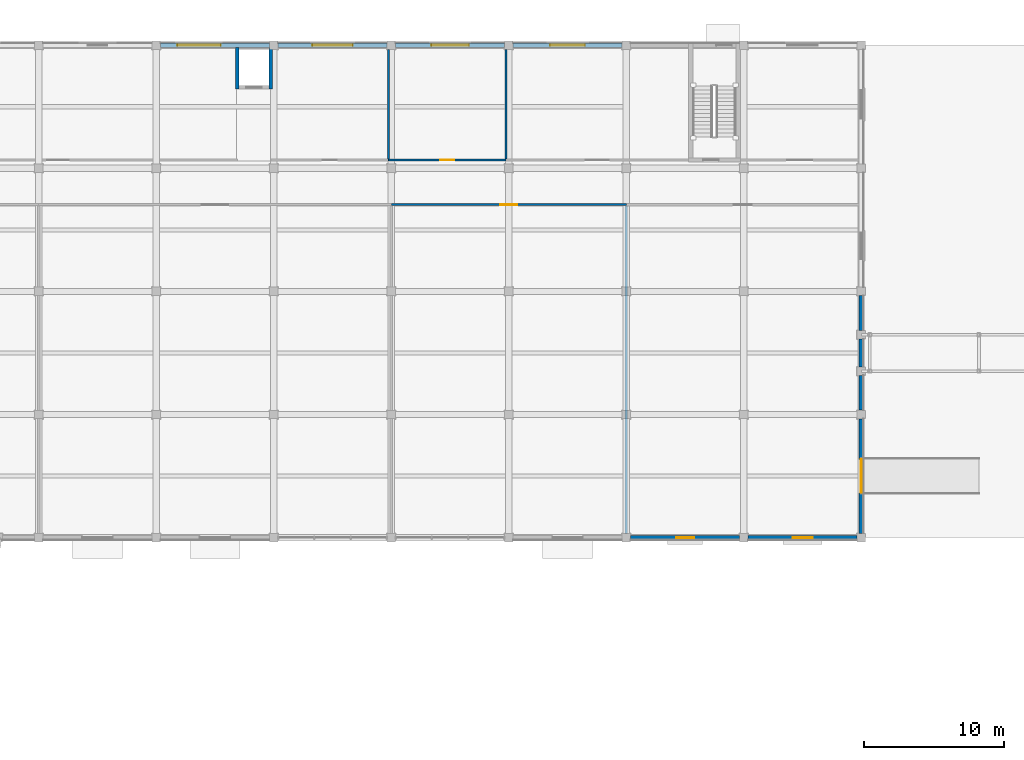
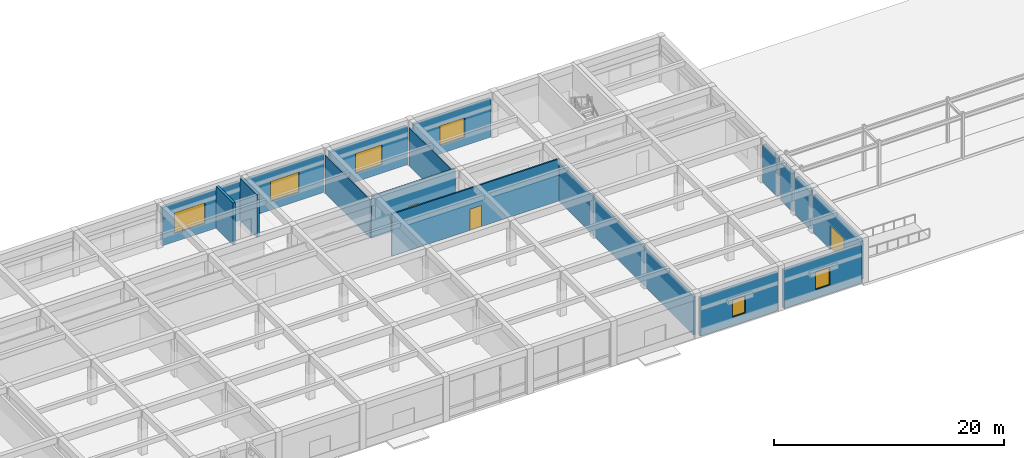
# One storey, part 36 of 58: 17 walls, 6 windows, 3 doors, 9 openings.
"""IFC4 building model written with IfcOpenShell, lengths in metres."""

from ifc_helpers import new_model, si_unit, direction, frame, frame_2d, origin, place, context, subcontext, project, spatial, rectangle, extrude, material, layer, layer_set, type_object, element, fill, save


model = new_model("IFC4")

# Units and contexts
model_context = context("Model", 3, precision=1e-05, world=origin(), true_north=direction((0.0, 1.0)))
body_context = subcontext(model_context, "Body", "Model", "MODEL_VIEW")
ifc_project = project(units=[si_unit("LENGTHUNIT", "METRE"), si_unit("AREAUNIT", "SQUARE_METRE"), si_unit("VOLUMEUNIT", "CUBIC_METRE"), si_unit("PLANEANGLEUNIT", "RADIAN"), si_unit("MASSUNIT", "GRAM", prefix="KILO")], contexts=[model_context])

# Site, building, storey
site_placement = place(None, origin())
site = spatial("IfcSite", under=ifc_project, at=site_placement, CompositionType="ELEMENT")
building_placement = place(site_placement, origin())
building = spatial("IfcBuilding", under=site, at=building_placement, Name="Kemercrest Conservatory and Botanical Centre", CompositionType="ELEMENT")
storey_placement = place(building_placement, origin())
storey = spatial("IfcBuildingStorey", under=building, at=storey_placement, Name="L00", CompositionType="ELEMENT", Elevation=0.0)

# Wall, opening, window
ifc_material_1 = material(Name="Precast concrete C40/50", Category="concrete")
ifc_layer_1 = layer(ifc_material_1, 0.300048828125)
ifc_layer_set_1 = layer_set([ifc_layer_1], Name="Precast concrete C40/50")
wall_type_1 = type_object("IfcWallType", Name="W-EXT300", PredefinedType="SOLIDWALL", material=ifc_layer_set_1)
wall_1_placement = place(storey_placement, frame((75.510009765625, 87.199951171875, 0.0), z_axis=(0.0, 0.0, 1.0), x_axis=(1.0, 0.0, 0.0)))
wall_1 = element("IfcWall", 1, at=wall_1_placement, inside=storey, type_object=wall_type_1, Name="Exterior almasik wall W-EXT300 (WAL:L00:EXT-076)", PredefinedType="SOLIDWALL", context=body_context, shape_type="SweptSolid", body=[
    extrude(rectangle(XDim=7.780029296875, YDim=0.300048828125, at=frame_2d((3.89013671875, 0.0))), origin(), (0.0, 0.0, 1.0), 4.050048828125),
])
opening_1_placement = place(wall_1_placement, frame((3.25, 0.0, 0.89990234375)))
opening_1 = element("IfcOpeningElement", 2, at=opening_1_placement, cuts=wall_1, Name="Opening WT-29", PredefinedType="OPENING", context=body_context, shape_type="SweptSolid", body=[
    extrude(rectangle(XDim=1.280029296875, YDim=1.820068359375, at=frame_2d((0.64013671875, 0.91015625))), frame((0.0, 0.16015625, 0.0), z_axis=(0.0, -1.0, 0.0), x_axis=(1.0, 0.0, 0.0)), (0.0, 0.0, 1.0), 0.320068359375),
])
ifc_material_2 = material(Name="Thermally broken bronze-anodized aluminium and triple glazing", Category="aluminium")
window_type_1 = type_object("IfcWindowType", Name="WT-29", PartitioningType="SINGLE_PANEL", PredefinedType="WINDOW", material=ifc_material_2)
window_1_placement = place(opening_1_placement, origin())
window_1 = element("IfcWindow", 3, at=window_1_placement, inside=storey, type_object=window_type_1, Name="Exterior window WT-29 (WIN:L00:EXT-076)", OverallHeight=1.820068359375, OverallWidth=1.280029296875, PartitioningType="SINGLE_PANEL", PredefinedType="WINDOW", context=body_context, shape_type="SweptSolid", body=[
    extrude(rectangle(XDim=1.280029296875, YDim=1.820068359375, at=frame_2d((0.64013671875, 0.91015625))), frame((0.0, 0.030029296875, 0.0), z_axis=(0.0, -1.0, 0.0), x_axis=(1.0, 0.0, 0.0)), (0.0, 0.0, 1.0), 0.06005859375),
])
fill(opening_1, window_1)

wall_2_placement = place(storey_placement, frame((83.909912109375, 87.199951171875, 0.0), z_axis=(0.0, 0.0, 1.0), x_axis=(1.0, 0.0, 0.0)))
wall_2 = element("IfcWall", 4, at=wall_2_placement, inside=storey, type_object=wall_type_1, Name="Exterior almasik wall W-EXT300 (WAL:L00:EXT-077)", PredefinedType="SOLIDWALL", context=body_context, shape_type="SweptSolid", body=[
    extrude(rectangle(XDim=7.780029296875, YDim=0.300048828125, at=frame_2d((3.89013671875, 0.0))), origin(), (0.0, 0.0, 1.0), 4.050048828125),
])
opening_2_placement = place(wall_2_placement, frame((3.179931640625, 0.0, 0.89990234375)))
opening_2 = element("IfcOpeningElement", 5, at=opening_2_placement, cuts=wall_2, Name="Opening WT-30", PredefinedType="OPENING", context=body_context, shape_type="SweptSolid", body=[
    extrude(rectangle(XDim=1.419921875, YDim=1.860107421875, at=frame_2d((0.7099609375, 0.93017578125))), frame((0.0, 0.16015625, 0.0), z_axis=(0.0, -1.0, 0.0), x_axis=(1.0, 0.0, 0.0)), (0.0, 0.0, 1.0), 0.320068359375),
])
window_type_2 = type_object("IfcWindowType", Name="WT-30", PartitioningType="SINGLE_PANEL", PredefinedType="WINDOW", material=ifc_material_2)
window_2_placement = place(opening_2_placement, origin())
window_2 = element("IfcWindow", 6, at=window_2_placement, inside=storey, type_object=window_type_2, Name="Exterior window WT-30 (WIN:L00:EXT-077)", OverallHeight=1.860107421875, OverallWidth=1.419921875, PartitioningType="SINGLE_PANEL", PredefinedType="WINDOW", context=body_context, shape_type="SweptSolid", body=[
    extrude(rectangle(XDim=1.419921875, YDim=1.860107421875, at=frame_2d((0.7099609375, 0.93017578125))), frame((0.0, 0.030029296875, 0.0), z_axis=(0.0, -1.0, 0.0), x_axis=(1.0, 0.0, 0.0)), (0.0, 0.0, 1.0), 0.06005859375),
])
fill(opening_2, window_2)

# Wall, opening, door
wall_3_placement = place(storey_placement, frame((92.0, 87.510009765625, 0.0), z_axis=(0.0, 0.0, 1.0), x_axis=(0.0, 1.0, 0.0)))
wall_3 = element("IfcWall", 7, at=wall_3_placement, inside=storey, type_object=wall_type_1, Name="Exterior almasik wall W-EXT300 (WAL:L00:EXT-078)", PredefinedType="SOLIDWALL", context=body_context, shape_type="SweptSolid", body=[
    extrude(rectangle(XDim=8.179931640625, YDim=0.300048828125, at=frame_2d((4.08984375, 0.0))), origin(), (0.0, 0.0, 1.0), 4.050048828125),
])
opening_3_placement = place(wall_3_placement, frame((2.889892578125, 0.0, 0.0)))
opening_3 = element("IfcOpeningElement", 8, at=opening_3_placement, cuts=wall_3, Name="Opening ED025", PredefinedType="OPENING", context=body_context, shape_type="SweptSolid", body=[
    extrude(rectangle(XDim=2.39990234375, YDim=2.60009765625, at=frame_2d((1.199951171875, 1.300048828125))), frame((0.0, 0.16015625, 0.0), z_axis=(0.0, -1.0, 0.0), x_axis=(1.0, 0.0, 0.0)), (0.0, 0.0, 1.0), 0.320068359375),
])
ifc_material_3 = material(Name="Thermally broken bronze-anodized aluminium and laminated safety glass", Category="aluminium")
door_type_1 = type_object("IfcDoorType", Name="DT-E07", OperationType="DOUBLE_DOOR_SLIDING", PredefinedType="DOOR", material=ifc_material_3)
door_1_placement = place(opening_3_placement, frame((2.39990234375, 0.0, 0.0), z_axis=(0.0, 0.0, 1.0), x_axis=(-1.0, 0.0, 0.0)))
door_1 = element("IfcDoor", 9, at=door_1_placement, inside=storey, type_object=door_type_1, Name="Specimen Receiving Automatic Sliding Entrance", OperationType="DOUBLE_DOOR_SLIDING", OverallHeight=2.60009765625, OverallWidth=2.39990234375, PredefinedType="DOOR", context=body_context, shape_type="SweptSolid", body=[
    extrude(rectangle(XDim=2.39990234375, YDim=2.60009765625, at=frame_2d((1.199951171875, 1.300048828125))), frame((0.0, 0.02490234375, 0.0), z_axis=(0.0, -1.0, 0.0), x_axis=(1.0, 0.0, 0.0)), (0.0, 0.0, 1.0), 0.050048828125),
])
fill(opening_3, door_1)

# Walls
wall_4_placement = place(storey_placement, frame((92.0, 96.31005859375, 0.0), z_axis=(0.0, 0.0, 1.0), x_axis=(0.0, 1.0, 0.0)))
element("IfcWall", 10, at=wall_4_placement, inside=storey, type_object=wall_type_1, Name="Exterior almasik wall W-EXT300 (WAL:L00:EXT-079-S1)", PredefinedType="SOLIDWALL", context=body_context, shape_type="SweptSolid", body=[
    extrude(rectangle(XDim=2.47998046875, YDim=0.300048828125, at=frame_2d((1.239990234375, 0.0))), origin(), (0.0, 0.0, 1.0), 4.050048828125),
])
wall_5_placement = place(storey_placement, frame((92.0, 99.409912109375, 0.0), z_axis=(0.0, 0.0, 1.0), x_axis=(0.0, 1.0, 0.0)))
element("IfcWall", 11, at=wall_5_placement, inside=storey, type_object=wall_type_1, Name="Exterior almasik wall W-EXT300 (WAL:L00:EXT-079-S2)", PredefinedType="SOLIDWALL", context=body_context, shape_type="SweptSolid", body=[
    extrude(rectangle(XDim=1.97998046875, YDim=0.300048828125, at=frame_2d((0.989990234375, 0.0))), origin(), (0.0, 0.0, 1.0), 4.050048828125),
])
wall_6_placement = place(storey_placement, frame((92.0, 102.010009765625, 0.0), z_axis=(0.0, 0.0, 1.0), x_axis=(0.0, 1.0, 0.0)))
element("IfcWall", 12, at=wall_6_placement, inside=storey, type_object=wall_type_1, Name="Exterior almasik wall W-EXT300 (WAL:L00:EXT-079-S3)", PredefinedType="SOLIDWALL", context=body_context, shape_type="SweptSolid", body=[
    extrude(rectangle(XDim=2.47998046875, YDim=0.300048828125, at=frame_2d((1.239990234375, 0.0))), origin(), (0.0, 0.0, 1.0), 4.050048828125),
])

# Wall, opening, window
wall_7_placement = place(storey_placement, frame((74.889892578125, 122.39990234375, 0.0), z_axis=(0.0, 0.0, 1.0), x_axis=(-1.0, 0.0, 0.0)))
wall_7 = element("IfcWall", 13, at=wall_7_placement, inside=storey, type_object=wall_type_1, Name="Exterior almasik wall W-EXT300 (WAL:L00:EXT-084)", PredefinedType="SOLIDWALL", context=body_context, shape_type="SweptSolid", body=[
    extrude(rectangle(XDim=7.77978515625, YDim=0.300048828125, at=frame_2d((3.889892578125, 0.0))), origin(), (0.0, 0.0, 1.0), 4.050048828125),
])
opening_4_placement = place(wall_7_placement, frame((2.64990234375, 0.0, 0.89990234375)))
opening_4 = element("IfcOpeningElement", 14, at=opening_4_placement, cuts=wall_7, Name="Opening WT-37", PredefinedType="OPENING", context=body_context, shape_type="SweptSolid", body=[
    extrude(rectangle(XDim=2.47998046875, YDim=2.080078125, at=frame_2d((1.239990234375, 1.0400390625))), frame((0.0, 0.16015625, 0.0), z_axis=(0.0, -1.0, 0.0), x_axis=(1.0, 0.0, 0.0)), (0.0, 0.0, 1.0), 0.320068359375),
])
window_type_3 = type_object("IfcWindowType", Name="WT-37", PartitioningType="SINGLE_PANEL", PredefinedType="WINDOW", material=ifc_material_2)
window_3_placement = place(opening_4_placement, origin())
window_3 = element("IfcWindow", 15, at=window_3_placement, inside=storey, type_object=window_type_3, Name="Exterior window WT-37 (WIN:L00:EXT-084)", OverallHeight=2.080078125, OverallWidth=2.47998046875, PartitioningType="SINGLE_PANEL", PredefinedType="WINDOW", context=body_context, shape_type="SweptSolid", body=[
    extrude(rectangle(XDim=2.47998046875, YDim=2.080078125, at=frame_2d((1.239990234375, 1.0400390625))), frame((0.0, 0.030029296875, 0.0), z_axis=(0.0, -1.0, 0.0), x_axis=(1.0, 0.0, 0.0)), (0.0, 0.0, 1.0), 0.06005859375),
])
fill(opening_4, window_3)

wall_8_placement = place(storey_placement, frame((66.489990234375, 122.39990234375, 0.0), z_axis=(0.0, 0.0, 1.0), x_axis=(-1.0, 0.0, 0.0)))
wall_8 = element("IfcWall", 16, at=wall_8_placement, inside=storey, type_object=wall_type_1, Name="Exterior almasik wall W-EXT300 (WAL:L00:EXT-085)", PredefinedType="SOLIDWALL", context=body_context, shape_type="SweptSolid", body=[
    extrude(rectangle(XDim=7.780029296875, YDim=0.300048828125, at=frame_2d((3.89013671875, 0.0))), origin(), (0.0, 0.0, 1.0), 4.050048828125),
])
opening_5_placement = place(wall_8_placement, frame((2.550048828125, 0.0, 0.89990234375)))
opening_5 = element("IfcOpeningElement", 17, at=opening_5_placement, cuts=wall_8, Name="Opening WT-38", PredefinedType="OPENING", context=body_context, shape_type="SweptSolid", body=[
    extrude(rectangle(XDim=2.679931640625, YDim=2.1201171875, at=frame_2d((1.33984375, 1.06005859375))), frame((0.0, 0.16015625, 0.0), z_axis=(0.0, -1.0, 0.0), x_axis=(1.0, 0.0, 0.0)), (0.0, 0.0, 1.0), 0.320068359375),
])
window_type_4 = type_object("IfcWindowType", Name="WT-38", PartitioningType="SINGLE_PANEL", PredefinedType="WINDOW", material=ifc_material_2)
window_4_placement = place(opening_5_placement, origin())
window_4 = element("IfcWindow", 18, at=window_4_placement, inside=storey, type_object=window_type_4, Name="Exterior window WT-38 (WIN:L00:EXT-085)", OverallHeight=2.1201171875, OverallWidth=2.679931640625, PartitioningType="SINGLE_PANEL", PredefinedType="WINDOW", context=body_context, shape_type="SweptSolid", body=[
    extrude(rectangle(XDim=2.679931640625, YDim=2.1201171875, at=frame_2d((1.33984375, 1.06005859375))), frame((0.0, 0.030029296875, 0.0), z_axis=(0.0, -1.0, 0.0), x_axis=(1.0, 0.0, 0.0)), (0.0, 0.0, 1.0), 0.06005859375),
])
fill(opening_5, window_4)

wall_9_placement = place(storey_placement, frame((58.090087890625, 122.39990234375, 0.0), z_axis=(0.0, 0.0, 1.0), x_axis=(-1.0, 0.0, 0.0)))
wall_9 = element("IfcWall", 19, at=wall_9_placement, inside=storey, type_object=wall_type_1, Name="Exterior almasik wall W-EXT300 (WAL:L00:EXT-086)", PredefinedType="SOLIDWALL", context=body_context, shape_type="SweptSolid", body=[
    extrude(rectangle(XDim=7.780029296875, YDim=0.300048828125, at=frame_2d((3.89013671875, 0.0))), origin(), (0.0, 0.0, 1.0), 4.050048828125),
])
opening_6_placement = place(wall_9_placement, frame((2.449951171875, 0.0, 0.89990234375)))
opening_6 = element("IfcOpeningElement", 20, at=opening_6_placement, cuts=wall_9, Name="Opening WT-39", PredefinedType="OPENING", context=body_context, shape_type="SweptSolid", body=[
    extrude(rectangle(XDim=2.8798828125, YDim=2.139892578125, at=frame_2d((1.43994140625, 1.06982421875))), frame((0.0, 0.16015625, 0.0), z_axis=(0.0, -1.0, 0.0), x_axis=(1.0, 0.0, 0.0)), (0.0, 0.0, 1.0), 0.320068359375),
])
window_type_5 = type_object("IfcWindowType", Name="WT-39", PartitioningType="SINGLE_PANEL", PredefinedType="WINDOW", material=ifc_material_2)
window_5_placement = place(opening_6_placement, origin())
window_5 = element("IfcWindow", 21, at=window_5_placement, inside=storey, type_object=window_type_5, Name="Exterior window WT-39 (WIN:L00:EXT-086)", OverallHeight=2.139892578125, OverallWidth=2.8798828125, PartitioningType="SINGLE_PANEL", PredefinedType="WINDOW", context=body_context, shape_type="SweptSolid", body=[
    extrude(rectangle(XDim=2.8798828125, YDim=2.139892578125, at=frame_2d((1.43994140625, 1.06982421875))), frame((0.0, 0.030029296875, 0.0), z_axis=(0.0, -1.0, 0.0), x_axis=(1.0, 0.0, 0.0)), (0.0, 0.0, 1.0), 0.06005859375),
])
fill(opening_6, window_5)

wall_10_placement = place(storey_placement, frame((49.68994140625, 122.39990234375, 0.0), z_axis=(0.0, 0.0, 1.0), x_axis=(-1.0, 0.0, 0.0)))
wall_10 = element("IfcWall", 22, at=wall_10_placement, inside=storey, type_object=wall_type_1, Name="Exterior almasik wall W-EXT300 (WAL:L00:EXT-087)", PredefinedType="SOLIDWALL", context=body_context, shape_type="SweptSolid", body=[
    extrude(rectangle(XDim=7.780029296875, YDim=0.300048828125, at=frame_2d((3.89013671875, 0.0))), origin(), (0.0, 0.0, 1.0), 4.050048828125),
])
opening_7_placement = place(wall_10_placement, frame((3.4951171875, 0.0, 0.89990234375)))
opening_7 = element("IfcOpeningElement", 23, at=opening_7_placement, cuts=wall_10, Name="Opening WT-40", PredefinedType="OPENING", context=body_context, shape_type="SweptSolid", body=[
    extrude(rectangle(XDim=3.080078125, YDim=2.179931640625, at=frame_2d((1.5400390625, 1.08984375))), frame((0.0, 0.16015625, 0.0), z_axis=(0.0, -1.0, 0.0), x_axis=(1.0, 0.0, 0.0)), (0.0, 0.0, 1.0), 0.320068359375),
])
window_type_6 = type_object("IfcWindowType", Name="WT-40", PartitioningType="SINGLE_PANEL", PredefinedType="WINDOW", material=ifc_material_2)
window_6_placement = place(opening_7_placement, origin())
window_6 = element("IfcWindow", 24, at=window_6_placement, inside=storey, type_object=window_type_6, Name="Exterior window WT-40 (WIN:L00:EXT-087)", OverallHeight=2.179931640625, OverallWidth=3.080078125, PartitioningType="SINGLE_PANEL", PredefinedType="WINDOW", context=body_context, shape_type="SweptSolid", body=[
    extrude(rectangle(XDim=3.080078125, YDim=2.179931640625, at=frame_2d((1.5400390625, 1.08984375))), frame((0.0, 0.030029296875, 0.0), z_axis=(0.0, -1.0, 0.0), x_axis=(1.0, 0.0, 0.0)), (0.0, 0.0, 1.0), 0.06005859375),
])
fill(opening_7, window_6)

# Wall, opening, door
ifc_material_4 = material(Name="Moisture-resistant gypsum board partition", Category="gypsum")
ifc_layer_2 = layer(ifc_material_4, 0.125)
ifc_layer_set_2 = layer_set([ifc_layer_2], Name="Moisture-resistant gypsum board partition")
wall_type_2 = type_object("IfcWallType", Name="W-PART125", PredefinedType="PARTITIONING", material=ifc_layer_set_2)
wall_11_placement = place(storey_placement, frame((58.199951171875, 114.199951171875, 0.0), z_axis=(0.0, 0.0, 1.0), x_axis=(1.0, 0.0, 0.0)))
wall_11 = element("IfcWall", 25, at=wall_11_placement, inside=storey, type_object=wall_type_2, Name="Interior partition W-PART125 #33", PredefinedType="PARTITIONING", context=body_context, shape_type="SweptSolid", body=[
    extrude(rectangle(XDim=8.400146484375, YDim=0.125, at=frame_2d((4.2001953125, 0.0))), origin(), (0.0, 0.0, 1.0), 4.465087890625),
])
opening_8_placement = place(wall_11_placement, frame((3.7099609375, 0.0, 0.0)))
opening_8 = element("IfcOpeningElement", 26, at=opening_8_placement, cuts=wall_11, Name="Opening D128", PredefinedType="OPENING", context=body_context, shape_type="SweptSolid", body=[
    extrude(rectangle(XDim=0.97998046875, YDim=2.10009765625, at=frame_2d((0.489990234375, 1.050048828125))), frame((0.0, 0.072509765625, 0.0), z_axis=(0.0, -1.0, 0.0), x_axis=(1.0, 0.0, 0.0)), (0.0, 0.0, 1.0), 0.14501953125),
])
ifc_material_5 = material(Name="FSC solid-core white oak veneer and anodized aluminium frame", Category="aluminium")
door_type_2 = type_object("IfcDoorType", Name="DT-02", OperationType="NOTDEFINED", PredefinedType="DOOR", material=ifc_material_5)
door_2_placement = place(opening_8_placement, origin())
door_2 = element("IfcDoor", 27, at=door_2_placement, inside=storey, type_object=door_type_2, Name="Universal Accessible Washroom door D128", OperationType="SINGLE_SWING_RIGHT", OverallHeight=2.10009765625, OverallWidth=0.97998046875, PredefinedType="DOOR", context=body_context, shape_type="SweptSolid", body=[
    extrude(rectangle(XDim=0.97998046875, YDim=2.10009765625, at=frame_2d((0.489990234375, 1.050048828125))), frame((0.0, 0.02490234375, 0.0), z_axis=(0.0, -1.0, 0.0), x_axis=(1.0, 0.0, 0.0)), (0.0, 0.0, 1.0), 0.050048828125),
])
fill(opening_8, door_2)

# Walls
wall_12_placement = place(storey_placement, frame((58.199951171875, 114.267578125, 0.0), z_axis=(0.0, 0.0, 1.0), x_axis=(0.0, 1.0, 0.0)))
element("IfcWall", 28, at=wall_12_placement, inside=storey, type_object=wall_type_2, Name="Interior partition W-PART125 #56", PredefinedType="PARTITIONING", context=body_context, shape_type="SweptSolid", body=[
    extrude(rectangle(XDim=7.83251953125, YDim=0.125, at=frame_2d((3.916259765625, 0.0))), origin(), (0.0, 0.0, 1.0), 4.044921875),
])
wall_13_placement = place(storey_placement, frame((66.60009765625, 114.280029296875, 0.0), z_axis=(0.0, 0.0, 1.0), x_axis=(0.0, 1.0, 0.0)))
element("IfcWall", 29, at=wall_13_placement, inside=storey, type_object=wall_type_2, Name="Interior partition W-PART125 #57", PredefinedType="PARTITIONING", context=body_context, shape_type="SweptSolid", body=[
    extrude(rectangle(XDim=7.820068359375, YDim=0.125, at=frame_2d((3.91015625, 0.0))), origin(), (0.0, 0.0, 1.0), 4.044921875),
])

# Wall, opening, door
ifc_material_6 = material(Name="Steel-stud gypsum board partition", Category="steel")
ifc_layer_3 = layer(ifc_material_6, 0.14990234375)
ifc_layer_set_3 = layer_set([ifc_layer_3], Name="Steel-stud gypsum board partition")
wall_type_3 = type_object("IfcWallType", Name="W-PART150", PredefinedType="PARTITIONING", material=ifc_layer_set_3)
wall_14_placement = place(storey_placement, frame((58.39990234375, 111.0, 0.0), z_axis=(0.0, 0.0, 1.0), x_axis=(1.0, 0.0, 0.0)))
wall_14 = element("IfcWall", 30, at=wall_14_placement, inside=storey, type_object=wall_type_3, Name="Interior partition W-PART150 #29", PredefinedType="PARTITIONING", context=body_context, shape_type="SweptSolid", body=[
    extrude(rectangle(XDim=16.800048828125, YDim=0.14990234375, at=frame_2d((8.39990234375, 0.0))), origin(), (0.0, 0.0, 1.0), 4.465087890625),
])
opening_9_placement = place(wall_14_placement, frame((7.800048828125, 0.0, 0.0)))
opening_9 = element("IfcOpeningElement", 31, at=opening_9_placement, cuts=wall_14, Name="Opening D124", PredefinedType="OPENING", context=body_context, shape_type="SweptSolid", body=[
    extrude(rectangle(XDim=1.199951171875, YDim=2.260009765625, at=frame_2d((0.60009765625, 1.1298828125))), frame((0.0, 0.0849609375, 0.0), z_axis=(0.0, -1.0, 0.0), x_axis=(1.0, 0.0, 0.0)), (0.0, 0.0, 1.0), 0.169921875),
])
door_type_3 = type_object("IfcDoorType", Name="DT-37", OperationType="NOTDEFINED", PredefinedType="DOOR", material=ifc_material_5)
door_3_placement = place(opening_9_placement, origin())
door_3 = element("IfcDoor", 32, at=door_3_placement, inside=storey, type_object=door_type_3, Name="Botanical Gift Shop door D124", OperationType="SINGLE_SWING_RIGHT", OverallHeight=2.260009765625, OverallWidth=1.199951171875, PredefinedType="DOOR", context=body_context, shape_type="SweptSolid", body=[
    extrude(rectangle(XDim=1.199951171875, YDim=2.260009765625, at=frame_2d((0.60009765625, 1.1298828125))), frame((0.0, 0.02490234375, 0.0), z_axis=(0.0, -1.0, 0.0), x_axis=(1.0, 0.0, 0.0)), (0.0, 0.0, 1.0), 0.050048828125),
])
fill(opening_9, door_3)

# Walls
ifc_material_7 = material(Name="Acoustic steel-stud gypsum board assembly", Category="steel")
ifc_layer_4 = layer(ifc_material_7, 0.179931640625)
ifc_layer_set_4 = layer_set([ifc_layer_4], Name="Acoustic steel-stud gypsum board assembly")
wall_type_4 = type_object("IfcWallType", Name="W-PART180", PredefinedType="PARTITIONING", material=ifc_layer_set_4)
wall_15_placement = place(storey_placement, frame((75.199951171875, 87.5, 0.0), z_axis=(0.0, 0.0, 1.0), x_axis=(0.0, 1.0, 0.0)))
element("IfcWall", 33, at=wall_15_placement, inside=storey, type_object=wall_type_4, Name="Interior partition W-PART180 #55", PredefinedType="PARTITIONING", context=body_context, shape_type="SweptSolid", body=[
    extrude(rectangle(XDim=23.405029296875, YDim=0.179931640625, at=frame_2d((11.70263671875, 0.0))), origin(), (0.0, 0.0, 1.0), 4.044921875),
])
ifc_material_8 = material(Name="Concrete C40/50", Category="concrete")
ifc_layer_5 = layer(ifc_material_8, 0.25)
ifc_layer_set_5 = layer_set([ifc_layer_5], Name="Concrete C40/50")
wall_type_5 = type_object("IfcWallType", Name="W-SHFT250", PredefinedType="SOLIDWALL", material=ifc_layer_set_5)
for number, where, z_axis, x_axis, name in (
    (34, (47.39990234375, 119.27490234375, 0.0), (0.0, 0.0, 1.0), (0.0, 1.0, 0.0), "Elevator LF-V3 shaft wall west"),
    (35, (49.800048828125, 119.27490234375, 0.0), (0.0, 0.0, 1.0), (0.0, 1.0, 0.0), "Elevator LF-V3 shaft wall east"),
):
    element("IfcWall", number, at=place(storey_placement, frame(where, z_axis=z_axis, x_axis=x_axis)), inside=storey, type_object=wall_type_5, Name=name, PredefinedType="SOLIDWALL", context=body_context, shape_type="SweptSolid", body=[
        extrude(rectangle(XDim=2.9501953125, YDim=0.25, at=frame_2d((1.47509765625, 0.0))), origin(), (0.0, 0.0, 1.0), 4.47998046875),
    ])

save(model, "model.ifc")
